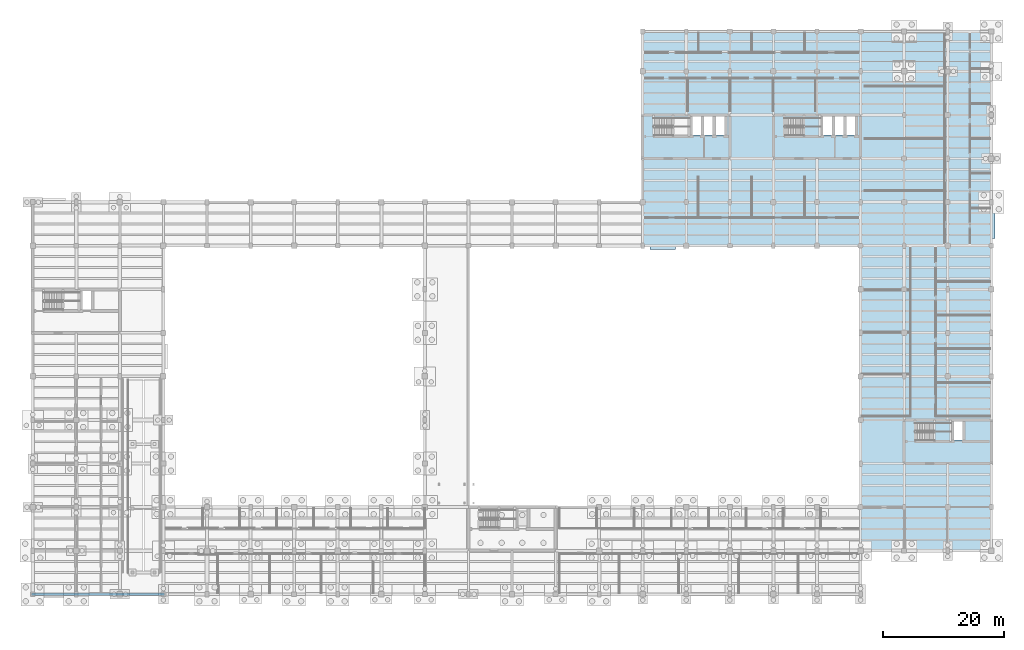
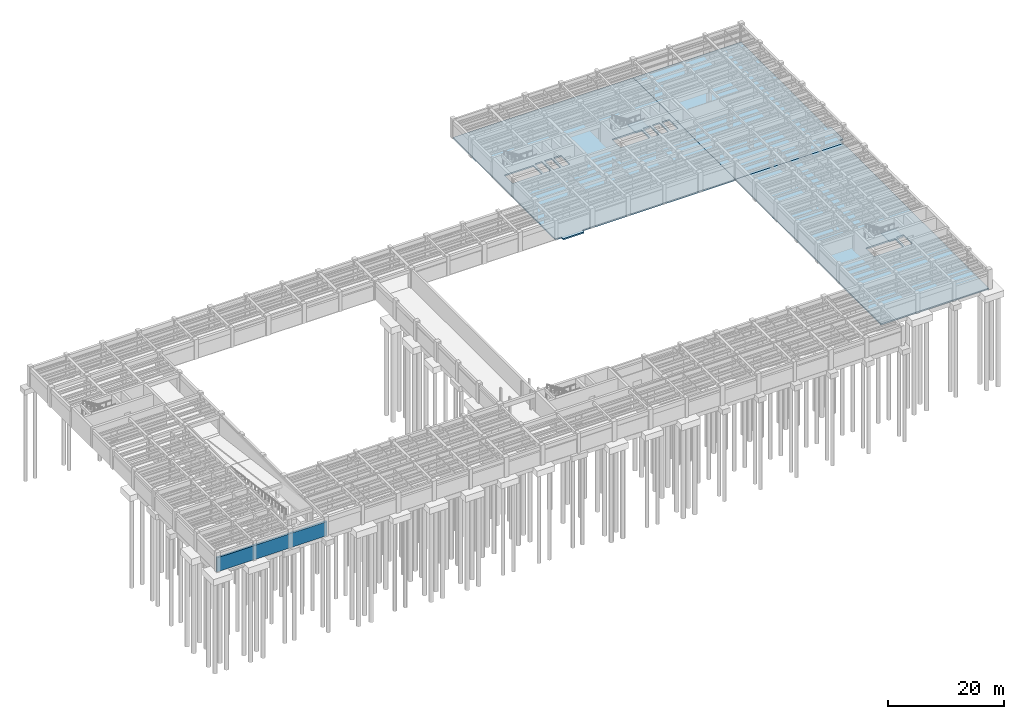
# One storey, part 15 of 33: 5 slabs, 1 wall, 2 elements without a shape of their own.
"""IFC4 building model written with IfcOpenShell, lengths in metres."""

from ifc_helpers import new_model, si_unit, direction, frame, frame_2d, origin, place, context, subcontext, project, spatial, polyline, rectangle, outline, extrude, material, layer, layer_set, type_object, element, aggregate, save


model = new_model("IFC4")

# Units and contexts
model_context = context("Model", 3, precision=1e-05, world=origin(), true_north=direction((0.0, 1.0)))
body_context = subcontext(model_context, "Body", "Model", "MODEL_VIEW")
ifc_project = project(units=[si_unit("LENGTHUNIT", "METRE"), si_unit("AREAUNIT", "SQUARE_METRE"), si_unit("VOLUMEUNIT", "CUBIC_METRE"), si_unit("PLANEANGLEUNIT", "RADIAN"), si_unit("MASSUNIT", "GRAM", prefix="KILO")], contexts=[model_context])

# Site, building, storey
site_placement = place(None, origin())
site = spatial("IfcSite", under=ifc_project, at=site_placement, CompositionType="ELEMENT")
building_placement = place(site_placement, origin())
building = spatial("IfcBuilding", under=site, at=building_placement, Name="Mithqara Police Headquarters", CompositionType="ELEMENT")
storey_placement = place(building_placement, frame((0.0, 0.0, -4.199951171875)))
storey = spatial("IfcBuildingStorey", under=building, at=storey_placement, Name="B1", CompositionType="ELEMENT", Elevation=-4.199951171875)

# Slabs
ifc_material = material(Name="Concrete C40/50", Category="concrete")
ifc_layer_1 = layer(ifc_material, 0.300048828125, Name="Concrete C40/50")
ifc_layer_set_1 = layer_set([ifc_layer_1], Name="Concrete C40/50")
slab_type_1 = type_object("IfcSlabType", Name="FLOOR SLAB 300", PredefinedType="FLOOR", material=ifc_layer_set_1)
slab_1_placement = place(storey_placement, frame((0.0, 0.0, -0.300048828125)))
element("IfcSlab", 1, at=slab_1_placement, inside=storey, type_object=slab_type_1, Name="B1 Structural Slab B1-V1A", PredefinedType="FLOOR", context=body_context, shape_type="SweptSolid", body=[
    extrude(outline(polyline([(109.800048828125, 78.60009765625), (108.60009765625, 78.60009765625), (108.60009765625, 114.0), (144.60009765625, 114.0), (144.60009765625, 78.60009765625), (114.0, 78.60009765625), (114.0, 77.949951171875), (109.800048828125, 77.949951171875), (109.800048828125, 78.60009765625)]), holes=[polyline([(110.550048828125, 96.800048828125), (116.39990234375, 96.800048828125), (116.39990234375, 99.699951171875), (110.550048828125, 99.699951171875), (110.550048828125, 96.800048828125)]), polyline([(132.14990234375, 96.800048828125), (138.0, 96.800048828125), (138.0, 99.699951171875), (132.14990234375, 99.699951171875), (132.14990234375, 96.800048828125)]), polyline([(118.25, 96.8701171875), (118.25, 99.949951171875), (116.830078125, 99.949951171875), (116.830078125, 96.8701171875), (118.25, 96.8701171875)]), polyline([(120.169921875, 96.8701171875), (120.169921875, 99.949951171875), (118.75, 99.949951171875), (118.75, 96.8701171875), (120.169921875, 96.8701171875)]), polyline([(122.090087890625, 96.8701171875), (122.090087890625, 99.949951171875), (120.669921875, 99.949951171875), (120.669921875, 96.8701171875), (122.090087890625, 96.8701171875)]), polyline([(139.85009765625, 96.8701171875), (139.85009765625, 99.949951171875), (138.429931640625, 99.949951171875), (138.429931640625, 96.8701171875), (139.85009765625, 96.8701171875)]), polyline([(141.77001953125, 96.8701171875), (141.77001953125, 99.949951171875), (140.35009765625, 99.949951171875), (140.35009765625, 96.8701171875), (141.77001953125, 96.8701171875)]), polyline([(143.68994140625, 96.8701171875), (143.68994140625, 99.949951171875), (142.27001953125, 99.949951171875), (142.27001953125, 96.8701171875), (143.68994140625, 96.8701171875)])]), origin(), (0.0, 0.0, 1.0), 0.300048828125),
])
slab_2_placement = place(storey_placement, frame((0.0, 0.0, -0.300048828125)))
element("IfcSlab", 2, at=slab_2_placement, inside=storey, type_object=slab_type_1, Name="B1 Structural Slab B1-V1B", PredefinedType="FLOOR", context=body_context, shape_type="SweptSolid", body=[
    extrude(outline(polyline([(166.85009765625, 84.0), (166.85009765625, 79.800048828125), (166.199951171875, 79.800048828125), (166.199951171875, 78.60009765625), (144.60009765625, 78.60009765625), (144.60009765625, 114.0), (166.199951171875, 114.0), (166.199951171875, 84.0), (166.85009765625, 84.0)])), origin(), (0.0, 0.0, 1.0), 0.300048828125),
])
slab_3_placement = place(storey_placement, frame((0.0, 0.0, -0.300048828125)))
element("IfcSlab", 3, at=slab_3_placement, inside=storey, type_object=slab_type_1, Name="B1 Structural Slab B1-V6E", PredefinedType="FLOOR", context=body_context, shape_type="SweptSolid", body=[
    extrude(outline(polyline([(166.199951171875, 28.199951171875), (144.60009765625, 28.199951171875), (144.60009765625, 35.39990234375), (144.60009765625, 78.60009765625), (166.199951171875, 78.60009765625), (166.199951171875, 28.199951171875)]), holes=[polyline([(153.75, 46.39990234375), (159.60009765625, 46.39990234375), (159.60009765625, 49.300048828125), (153.75, 49.300048828125), (153.75, 46.39990234375)]), polyline([(161.449951171875, 46.469970703125), (161.449951171875, 49.550048828125), (160.030029296875, 49.550048828125), (160.030029296875, 46.469970703125), (161.449951171875, 46.469970703125)])]), origin(), (0.0, 0.0, 1.0), 0.300048828125),
])

# Stair, slab
stair_type_1 = type_object("IfcStairType", Name="STAIR ST 02-R24", PredefinedType="HALF_TURN_STAIR", material=ifc_material)
stair_1_placement = place(storey_placement, origin())
stair_1 = element("IfcStair", 4, at=stair_1_placement, inside=storey, type_object=stair_type_1, Name="B1 Core C2 Command East Exit Stair", PredefinedType="HALF_TURN_STAIR")
ifc_layer_2 = layer(ifc_material, 0.199951171875, Name="Concrete C40/50")
ifc_layer_set_2 = layer_set([ifc_layer_2], Name="Concrete C40/50")
slab_type_2 = type_object("IfcSlabType", Name="STAIR LANDING 200", PredefinedType="LANDING", material=ifc_layer_set_2)
slab_4_placement = place(storey_placement, frame((0.0, 0.0, 1.89990234375)))
slab_4 = element("IfcSlab", 5, at=slab_4_placement, type_object=slab_type_2, Name="ST-02 landing 1", PredefinedType="LANDING", context=body_context, shape_type="SweptSolid", body=[
    extrude(outline(polyline([(135.22998046875, 96.800048828125), (138.0, 96.800048828125), (138.0, 99.699951171875), (135.22998046875, 99.699951171875), (135.22998046875, 96.800048828125)])), origin(), (0.0, 0.0, 1.0), 0.199951171875),
])
aggregate(stair_1, [slab_4])

stair_type_2 = type_object("IfcStairType", Name="STAIR ST 04-R24", PredefinedType="HALF_TURN_STAIR", material=ifc_material)
stair_2_placement = place(storey_placement, origin())
stair_2 = element("IfcStair", 6, at=stair_2_placement, inside=storey, type_object=stair_type_2, Name="B1 Core C4 Forensics East Exit Stair", PredefinedType="HALF_TURN_STAIR")
slab_5_placement = place(storey_placement, frame((0.0, 0.0, 1.89990234375)))
slab_5 = element("IfcSlab", 7, at=slab_5_placement, type_object=slab_type_2, Name="ST-04 landing 1", PredefinedType="LANDING", context=body_context, shape_type="SweptSolid", body=[
    extrude(outline(polyline([(156.830078125, 46.39990234375), (159.60009765625, 46.39990234375), (159.60009765625, 49.300048828125), (156.830078125, 49.300048828125), (156.830078125, 46.39990234375)])), origin(), (0.0, 0.0, 1.0), 0.199951171875),
])
aggregate(stair_2, [slab_5])

# Wall
ifc_layer_3 = layer(ifc_material, 0.419921875, Name="Concrete C40/50")
ifc_layer_set_3 = layer_set([ifc_layer_3], Name="Concrete C40/50")
wall_type = type_object("IfcWallType", Name="RETAINING WALL 420", PredefinedType="USERDEFINED", material=ifc_layer_set_3)
wall_placement = place(storey_placement, frame((29.610107421875, 21.0, 0.0), z_axis=(0.0, 0.0, 1.0), x_axis=(-1.0, 0.0, 0.0)))
element("IfcWall", 8, at=wall_placement, inside=storey, type_object=wall_type, Name="B1 Perimeter Retaining Wall 1", ObjectType="RETAININGWALL", PredefinedType="USERDEFINED", context=body_context, shape_type="SweptSolid", body=[
    extrude(rectangle(XDim=22.02001953125, YDim=0.419921875, at=frame_2d((11.010009765625, 0.0))), origin(), (0.0, 0.0, 1.0), 2.97998046875),
])

save(model, "model.ifc")
